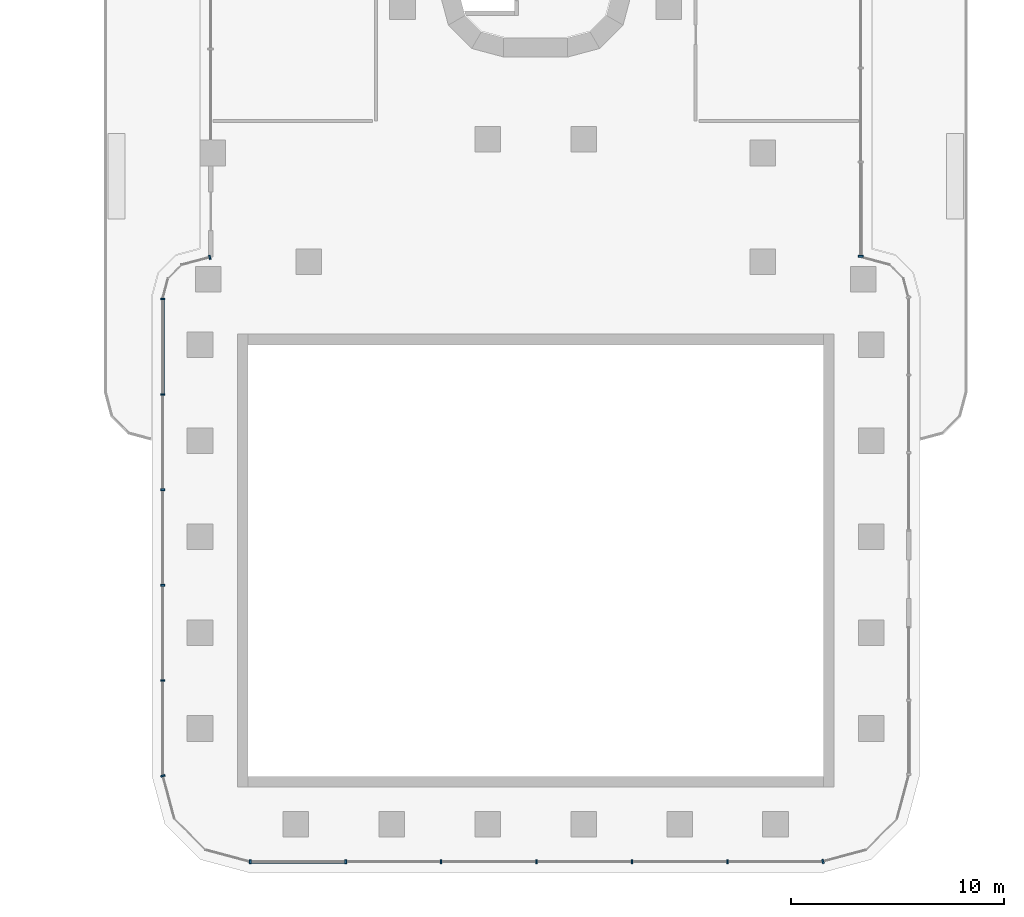
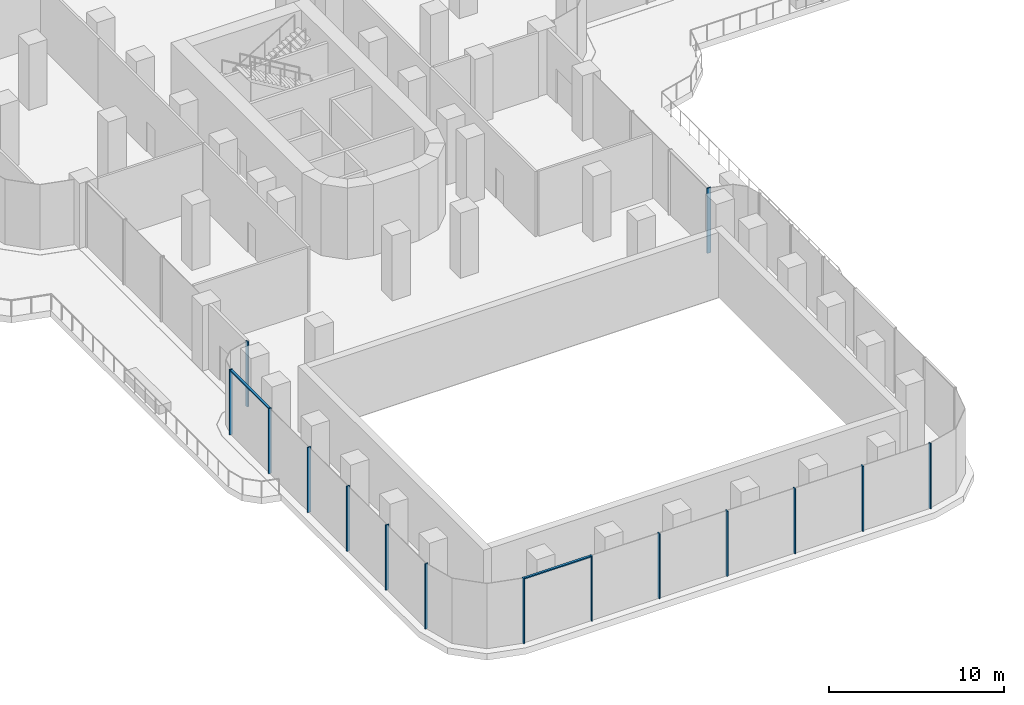
# One storey, part 2 of 27: 17 members, 6 elements without a shape of their own.
"""IFC4 building model written with IfcOpenShell, lengths in metres."""

from ifc_helpers import new_model, si_unit, direction, frame, origin, place, context, subcontext, project, spatial, polyline, outline, extrude, source, transform, mapped, material, type_object, element, aggregate, save


model = new_model("IFC4")

# Units and contexts
model_context = context("Model", 3, precision=1e-05, world=origin(), true_north=direction((0.0, 1.0)))
body_context = subcontext(model_context, "Body", "Model", "MODEL_VIEW")
ifc_project = project(units=[si_unit("LENGTHUNIT", "METRE"), si_unit("AREAUNIT", "SQUARE_METRE"), si_unit("VOLUMEUNIT", "CUBIC_METRE"), si_unit("PLANEANGLEUNIT", "RADIAN"), si_unit("MASSUNIT", "GRAM", prefix="KILO")], contexts=[model_context])

# Site, building, storey
site_placement = place(None, origin())
site = spatial("IfcSite", under=ifc_project, at=site_placement, CompositionType="ELEMENT")
building_placement = place(site_placement, origin())
building = spatial("IfcBuilding", under=site, at=building_placement, Name="Zarbagh Exchange Tower", CompositionType="ELEMENT")
storey_placement = place(building_placement, frame((0.0, 0.0, 17.0)))
storey = spatial("IfcBuildingStorey", under=building, at=storey_placement, Name="L03", CompositionType="ELEMENT", Elevation=17.0)

# Curtain wall, member
ifc_material_1 = material(Name="Anodised aluminium frame and glazing", Category="aluminium")
curtain_wall_type_1 = type_object("IfcCurtainWallType", Name="CWD Exchange hall wall glazing", PredefinedType="NOTDEFINED", material=ifc_material_1)
curtain_wall_1_placement = place(storey_placement, origin())
curtain_wall_1 = element("IfcCurtainWall", 1, at=curtain_wall_1_placement, inside=storey, type_object=curtain_wall_type_1, Name="CWD18 curtain wall", PredefinedType="NOTDEFINED")
ifc_material_2 = material(Name="Anodised aluminium frame", Category="aluminium")
member_type_1 = type_object("IfcMemberType", Name="MUD Mullion, anodised aluminium frame", PredefinedType="MULLION", material=ifc_material_2)
shared_shape_1 = source(origin(), body_context, "Body", "SweptSolid", [
    extrude(outline(polyline([(0.0, -0.10009765625), (0.080078125, -0.10009765625), (0.080078125, 0.10009765625), (0.0, 0.10009765625), (0.0, -0.10009765625)])), origin(), (0.0, 0.0, 1.0), 4.550048828125),
])
placement = place(storey_placement, origin())
member_1 = element("IfcMember", 2, at=placement, type_object=member_type_1, Name="CWD18 mullion 1.1", PredefinedType="MULLION", context=body_context, shape_type="MappedRepresentation", body=[
    mapped(shared_shape_1, transform((-15.25, -38.6337890625, 0.0), x_axis=(-0.965935021701, -0.25878472492, 0.0), y_axis=(0.25878472492, -0.965935021701, 0.0), z_axis=(0.0, 0.0, 1.0))),
])
aggregate(curtain_wall_1, [member_1])

# Curtain wall, members
curtain_wall_2_placement = place(storey_placement, origin())
curtain_wall_2 = element("IfcCurtainWall", 3, at=curtain_wall_2_placement, inside=storey, type_object=curtain_wall_type_1, Name="CWD21 curtain wall", PredefinedType="NOTDEFINED")
member_2 = element("IfcMember", 4, at=placement, type_object=member_type_1, Name="CWD21 mullion 1.1", PredefinedType="MULLION", context=body_context, shape_type="MappedRepresentation", body=[
    mapped(shared_shape_1, transform((-17.5, -40.56591796875, 0.0), x_axis=(0.0, -1.0, 0.0), y_axis=(1.0, 0.0, 0.0), z_axis=(0.0, 0.0, 1.0))),
])
member_3 = element("IfcMember", 5, at=placement, type_object=member_type_1, Name="CWD21 mullion 1.2", PredefinedType="MULLION", context=body_context, shape_type="MappedRepresentation", body=[
    mapped(shared_shape_1, transform((-17.5, -45.03955078125, 0.0), x_axis=(0.0, -1.0, 0.0), y_axis=(1.0, 0.0, 0.0), z_axis=(0.0, 0.0, 1.0))),
])
member_4 = element("IfcMember", 6, at=placement, type_object=member_type_1, Name="CWD21 mullion 1.3", PredefinedType="MULLION", context=body_context, shape_type="MappedRepresentation", body=[
    mapped(shared_shape_1, transform((-17.5, -49.51318359375, 0.0), x_axis=(0.0, -1.0, 0.0), y_axis=(1.0, 0.0, 0.0), z_axis=(0.0, 0.0, 1.0))),
])
member_5 = element("IfcMember", 7, at=placement, type_object=member_type_1, Name="CWD21 mullion 1.4", PredefinedType="MULLION", context=body_context, shape_type="MappedRepresentation", body=[
    mapped(shared_shape_1, transform((-17.5, -53.98681640625, 0.0), x_axis=(0.0, -1.0, 0.0), y_axis=(1.0, 0.0, 0.0), z_axis=(0.0, 0.0, 1.0))),
])
member_6 = element("IfcMember", 8, at=placement, type_object=member_type_1, Name="CWD21 mullion 1.5", PredefinedType="MULLION", context=body_context, shape_type="MappedRepresentation", body=[
    mapped(shared_shape_1, transform((-17.5, -58.46044921875, 0.0), x_axis=(0.0, -1.0, 0.0), y_axis=(1.0, 0.0, 0.0), z_axis=(0.0, 0.0, 1.0))),
])

# Curtain wall, member
curtain_wall_3_placement = place(storey_placement, origin())
curtain_wall_3 = element("IfcCurtainWall", 9, at=curtain_wall_3_placement, inside=storey, type_object=curtain_wall_type_1, Name="CWD06 curtain wall", PredefinedType="NOTDEFINED")
member_7 = element("IfcMember", 10, at=placement, type_object=member_type_1, Name="CWD06 mullion 1.1", PredefinedType="MULLION", context=body_context, shape_type="MappedRepresentation", body=[
    mapped(shared_shape_1, transform((-17.5, -62.93408203125, 0.0), x_axis=(0.258824779902, -0.965924289636, 0.0), y_axis=(0.965924289636, 0.258824779902, 0.0), z_axis=(0.0, 0.0, 1.0))),
])
aggregate(curtain_wall_3, [member_7])

# Curtain wall, members
curtain_wall_4_placement = place(storey_placement, origin())
curtain_wall_4 = element("IfcCurtainWall", 11, at=curtain_wall_4_placement, inside=storey, type_object=curtain_wall_type_1, Name="CWD09 curtain wall", PredefinedType="NOTDEFINED")
member_8 = element("IfcMember", 12, at=placement, type_object=member_type_1, Name="CWD09 mullion 1.1", PredefinedType="MULLION", context=body_context, shape_type="MappedRepresentation", body=[
    mapped(shared_shape_1, transform((-13.43408203125, -67.0, 0.0), x_axis=(1.0, 0.0, 0.0), y_axis=(0.0, 1.0, 0.0), z_axis=(0.0, 0.0, 1.0))),
])
member_9 = element("IfcMember", 13, at=placement, type_object=member_type_1, Name="CWD09 mullion 1.2", PredefinedType="MULLION", context=body_context, shape_type="MappedRepresentation", body=[
    mapped(shared_shape_1, transform((-8.9560546875, -67.0, 0.0), x_axis=(1.0, 0.0, 0.0), y_axis=(0.0, 1.0, 0.0), z_axis=(0.0, 0.0, 1.0))),
])
member_10 = element("IfcMember", 14, at=placement, type_object=member_type_1, Name="CWD09 mullion 1.3", PredefinedType="MULLION", context=body_context, shape_type="MappedRepresentation", body=[
    mapped(shared_shape_1, transform((-4.47802734375, -67.0, 0.0), x_axis=(1.0, 0.0, 0.0), y_axis=(0.0, 1.0, 0.0), z_axis=(0.0, 0.0, 1.0))),
])
member_11 = element("IfcMember", 15, at=placement, type_object=member_type_1, Name="CWD09 mullion 1.4", PredefinedType="MULLION", context=body_context, shape_type="MappedRepresentation", body=[
    mapped(shared_shape_1, transform((0.0, -67.0, 0.0), x_axis=(1.0, 0.0, 0.0), y_axis=(0.0, 1.0, 0.0), z_axis=(0.0, 0.0, 1.0))),
])
member_12 = element("IfcMember", 16, at=placement, type_object=member_type_1, Name="CWD09 mullion 1.5", PredefinedType="MULLION", context=body_context, shape_type="MappedRepresentation", body=[
    mapped(shared_shape_1, transform((4.47802734375, -67.0, 0.0), x_axis=(1.0, 0.0, 0.0), y_axis=(0.0, 1.0, 0.0), z_axis=(0.0, 0.0, 1.0))),
])
member_13 = element("IfcMember", 17, at=placement, type_object=member_type_1, Name="CWD09 mullion 1.6", PredefinedType="MULLION", context=body_context, shape_type="MappedRepresentation", body=[
    mapped(shared_shape_1, transform((8.9560546875, -67.0, 0.0), x_axis=(1.0, 0.0, 0.0), y_axis=(0.0, 1.0, 0.0), z_axis=(0.0, 0.0, 1.0))),
])

# Curtain wall, member
curtain_wall_5_placement = place(storey_placement, origin())
curtain_wall_5 = element("IfcCurtainWall", 18, at=curtain_wall_5_placement, inside=storey, type_object=curtain_wall_type_1, Name="CWD01 curtain wall", PredefinedType="NOTDEFINED")
member_14 = element("IfcMember", 19, at=placement, type_object=member_type_1, Name="CWD01 mullion 1.1", PredefinedType="MULLION", context=body_context, shape_type="MappedRepresentation", body=[
    mapped(shared_shape_1, transform((13.43408203125, -67.0, 0.0), x_axis=(0.965924289636, 0.258824779902, 0.0), y_axis=(-0.258824779902, 0.965924289636, 0.0), z_axis=(0.0, 0.0, 1.0))),
])
aggregate(curtain_wall_5, [member_14])

curtain_wall_type_2 = type_object("IfcCurtainWallType", Name="CWC Podium garden-wall glazing", PredefinedType="NOTDEFINED", material=ifc_material_1)
curtain_wall_6_placement = place(storey_placement, origin())
curtain_wall_6 = element("IfcCurtainWall", 20, at=curtain_wall_6_placement, inside=storey, type_object=curtain_wall_type_2, Name="CWC146 curtain wall", PredefinedType="NOTDEFINED")
member_type_2 = type_object("IfcMemberType", Name="MUC Mullion, anodised aluminium frame", PredefinedType="MULLION", material=ifc_material_2)
shared_shape_2 = source(origin(), body_context, "Body", "SweptSolid", [
    extrude(outline(polyline([(0.0, -0.125), (0.080078125, -0.125), (0.080078125, 0.125), (0.0, 0.125), (0.0, -0.125)])), origin(), (0.0, 0.0, 1.0), 4.550048828125),
])
member_15 = element("IfcMember", 21, at=placement, type_object=member_type_2, Name="CWC146 mullion 1.1", PredefinedType="MULLION", context=body_context, shape_type="MappedRepresentation", body=[
    mapped(shared_shape_2, transform((15.25, -38.6337890625, 0.0), x_axis=(0.0, 1.0, 0.0), y_axis=(-1.0, 0.0, 0.0), z_axis=(0.0, 0.0, 1.0))),
])
aggregate(curtain_wall_6, [member_15])

# Member
member_type_3 = type_object("IfcMemberType", Name="TRD Transom, anodised aluminium frame", PredefinedType="USERDEFINED", material=ifc_material_2)
shared_shape_3 = source(origin(), body_context, "Body", "SweptSolid", [
    extrude(outline(polyline([(-0.080078125, -0.074951171875), (0.0, -0.074951171875), (0.0, 0.074951171875), (-0.080078125, 0.074951171875), (-0.080078125, -0.074951171875)])), origin(), (0.0, 0.0, 1.0), 4.39794921875),
])
member_16 = element("IfcMember", 22, at=placement, type_object=member_type_3, Name="CWD09 transom 1.1", ObjectType="TRANSOM", PredefinedType="USERDEFINED", context=body_context, shape_type="MappedRepresentation", body=[
    mapped(shared_shape_3, transform((-13.354248046875, -67.0, 4.550048828125), x_axis=(0.0, 0.0, 1.0), y_axis=(0.0, -1.0, 0.0), z_axis=(1.0, 0.0, 0.0))),
])

aggregate(curtain_wall_4, [member_8, member_16, member_9, member_10, member_11, member_12, member_13])

shared_shape_4 = source(origin(), body_context, "Body", "SweptSolid", [
    extrude(outline(polyline([(-0.080078125, -0.074951171875), (0.0, -0.074951171875), (0.0, 0.074951171875), (-0.080078125, 0.074951171875), (-0.080078125, -0.074951171875)])), origin(), (0.0, 0.0, 1.0), 4.393798828125),
])
member_17 = element("IfcMember", 23, at=placement, type_object=member_type_3, Name="CWD21 transom 1.1", ObjectType="TRANSOM", PredefinedType="USERDEFINED", context=body_context, shape_type="MappedRepresentation", body=[
    mapped(shared_shape_4, transform((-17.5, -40.645751953125, 4.550048828125), x_axis=(0.0, 0.0, 1.0), y_axis=(-1.0, 0.0, 0.0), z_axis=(0.0, -1.0, 0.0))),
])

aggregate(curtain_wall_2, [member_2, member_17, member_3, member_4, member_5, member_6])

save(model, "model.ifc")
